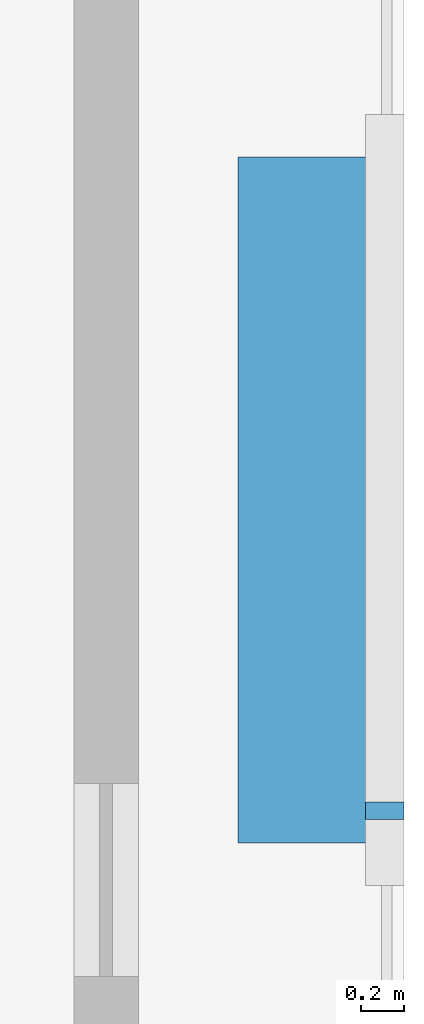
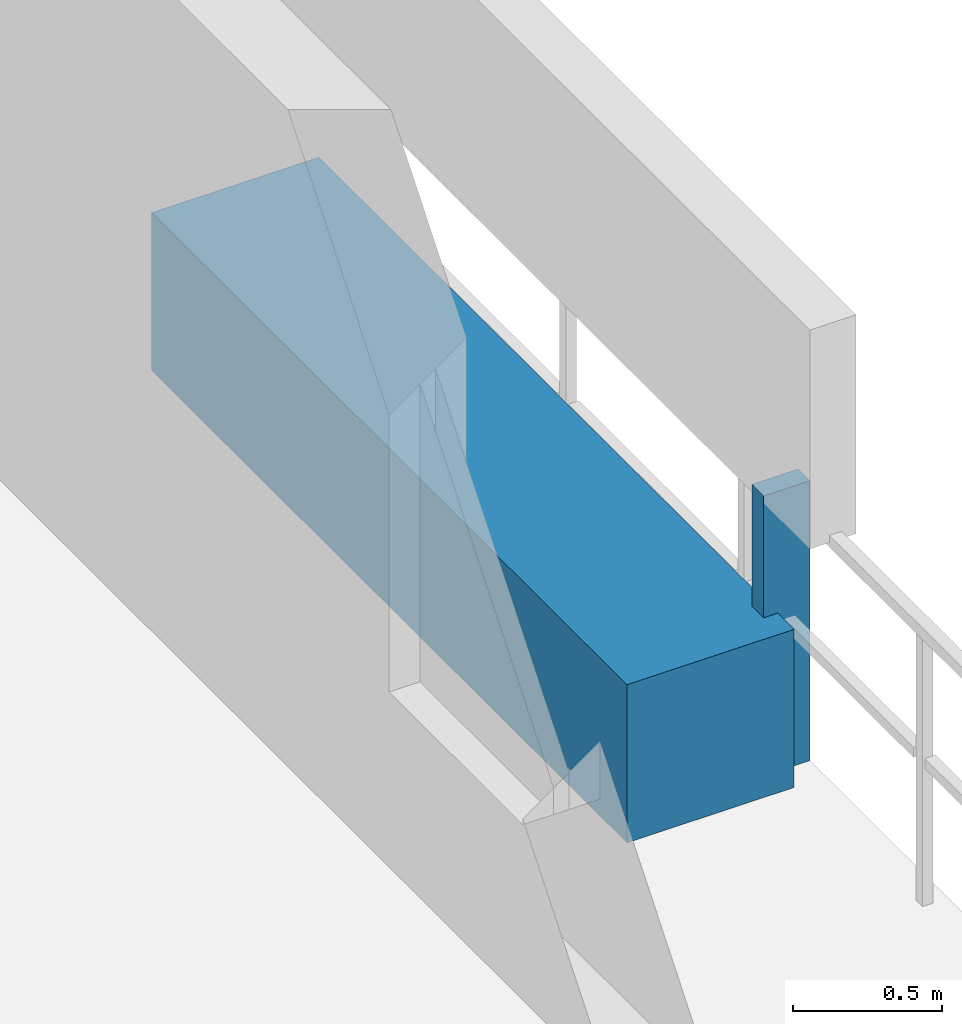
# One storey, part 28 of 32: 2 discrete accessories.
"""IFC4 building model written with IfcOpenShell, lengths in metres."""

from ifc_helpers import new_model, si_unit, direction, frame, origin, origin_2d, place, context, subcontext, project, spatial, rectangle, extrude, material, type_object, element, save


model = new_model("IFC4")

# Units and contexts
model_context = context("Model", 3, precision=1e-05, world=origin(), true_north=direction((0.0, 1.0)))
body_context = subcontext(model_context, "Body", "Model", "MODEL_VIEW")
ifc_project = project(units=[si_unit("LENGTHUNIT", "METRE"), si_unit("AREAUNIT", "SQUARE_METRE"), si_unit("VOLUMEUNIT", "CUBIC_METRE"), si_unit("PLANEANGLEUNIT", "RADIAN"), si_unit("MASSUNIT", "GRAM", prefix="KILO")], contexts=[model_context])

# Site, building, storey
site_placement = place(None, origin())
site = spatial("IfcSite", under=ifc_project, at=site_placement, CompositionType="ELEMENT")
building_placement = place(site_placement, origin())
building = spatial("IfcBuilding", under=site, at=building_placement, Name="Thornwick Lancets Civic Towers", CompositionType="ELEMENT")
storey_placement = place(building_placement, frame((0.0, 0.0, 240.300048828125)))
storey = spatial("IfcBuildingStorey", under=building, at=storey_placement, Name="L64", CompositionType="ELEMENT", Elevation=240.300048828125)

# Discrete accessories
ifc_material_1 = material(Name="Planted terracotta greenery planter", Category="masonry")
discrete_accessory_type_1 = type_object("IfcDiscreteAccessoryType", Name="ACC_PLANTER_BOX", PredefinedType="USERDEFINED", material=ifc_material_1)
discrete_accessory_1_placement = place(storey_placement, frame((113.199951171875, 27.0, 0.0), z_axis=(0.0, 0.0, 1.0), x_axis=(1.0, 0.0, 0.0)))
element("IfcDiscreteAccessory", 1, at=discrete_accessory_1_placement, inside=storey, type_object=discrete_accessory_type_1, Name="L64 Tower B Balcony Greenery Planter E", ObjectType="PLANTER", PredefinedType="USERDEFINED", context=body_context, shape_type="SweptSolid", body=[
    extrude(rectangle(XDim=0.64990234375, YDim=3.199951171875, at=origin_2d()), origin(), (0.0, 0.0, 1.0), 0.64990234375),
])
ifc_material_2 = material(Name="Stainless steel S355", Category="steel")
discrete_accessory_type_2 = type_object("IfcDiscreteAccessoryType", Name="ACC_SCREEN_BRACKET", PredefinedType="BRACKET", material=ifc_material_2)
discrete_accessory_2_placement = place(storey_placement, frame((113.56005859375, 25.550048828125, 0.0), z_axis=(0.0, 0.0, 1.0), x_axis=(0.0, 1.0, 0.0)))
element("IfcDiscreteAccessory", 2, at=discrete_accessory_2_placement, inside=storey, type_object=discrete_accessory_type_2, Name="L64 Tower B Balcony Screen Stanchion Bracket E-1", PredefinedType="BRACKET", context=body_context, shape_type="SweptSolid", body=[
    extrude(rectangle(XDim=0.080078125, YDim=0.179931640625, at=origin_2d()), origin(), (0.0, 0.0, 1.0), 1.14990234375),
])

save(model, "model.ifc")
